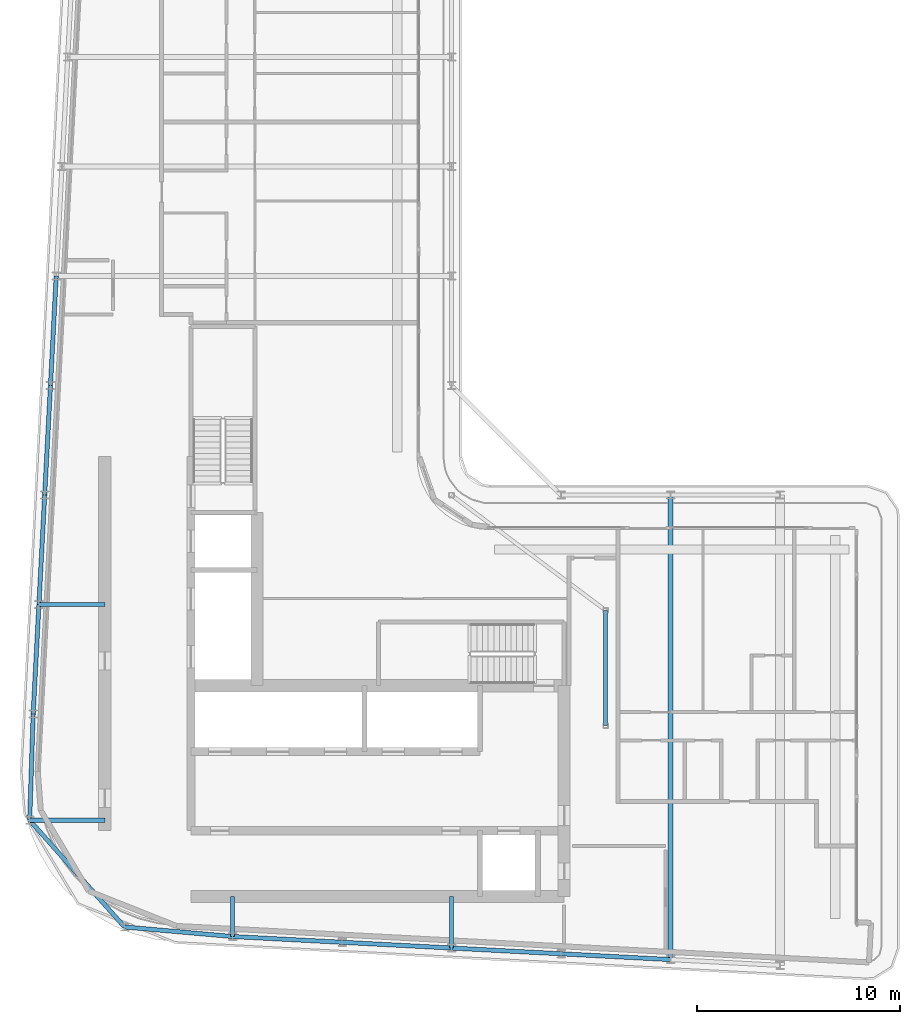
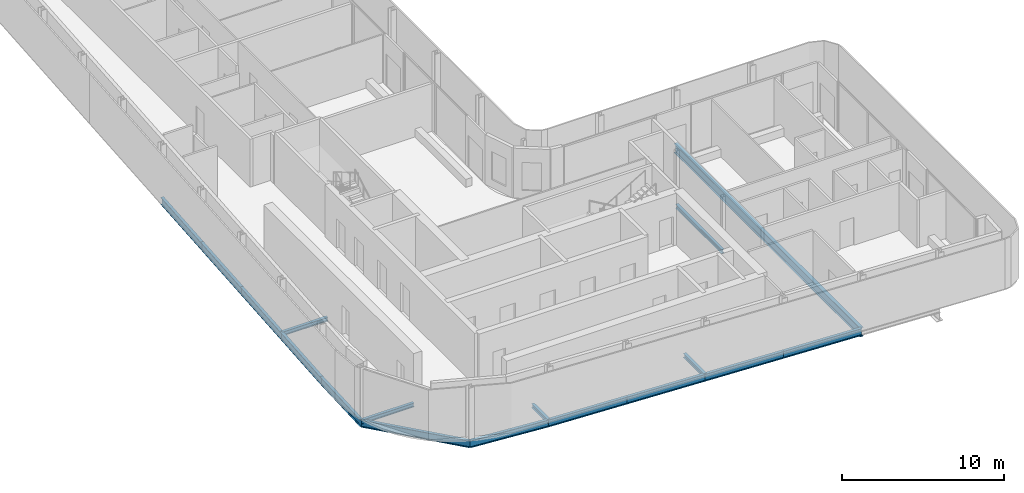
# One storey, part 5 of 21: 17 beams.
"""IFC4 building model written with IfcOpenShell, lengths in metres."""

from ifc_helpers import new_model, si_unit, direction, frame, origin, origin_2d, place, context, subcontext, project, spatial, i_section, extrude, material, material_profile, profile_set, type_object, element, save


model = new_model("IFC4")

# Units and contexts
model_context = context("Model", 3, precision=1e-05, world=origin(), true_north=direction((0.0, 1.0)))
body_context = subcontext(model_context, "Body", "Model", "MODEL_VIEW")
ifc_project = project(units=[si_unit("LENGTHUNIT", "METRE"), si_unit("AREAUNIT", "SQUARE_METRE"), si_unit("VOLUMEUNIT", "CUBIC_METRE"), si_unit("PLANEANGLEUNIT", "RADIAN"), si_unit("MASSUNIT", "GRAM", prefix="KILO")], contexts=[model_context])

# Site, building, storey
site_placement = place(None, origin())
site = spatial("IfcSite", under=ifc_project, at=site_placement, CompositionType="ELEMENT")
building_placement = place(site_placement, origin())
building = spatial("IfcBuilding", under=site, at=building_placement, Name="Kheshtan School and Residences Tower", CompositionType="ELEMENT")
storey_placement = place(building_placement, frame((0.0, 0.0, 290.300048828125)))
storey = spatial("IfcBuildingStorey", under=building, at=storey_placement, Name="L68", CompositionType="ELEMENT", Elevation=290.300048828125)

# Beams
ifc_material = material(Name="Steel ASTM A992 Grade 50", Category="steel")
ifc_material_profile_1 = material_profile(ifc_material, i_section(OverallWidth=0.202880859375, OverallDepth=0.302978515625, WebThickness=0.007568359375, FlangeThickness=0.01318359375, FilletRadius=0.009033203125, at=origin_2d()), Name="W310x60")
ifc_profile_set_1 = profile_set([ifc_material_profile_1], Name="Steel ASTM A992 Grade 50")
beam_type_1 = type_object("IfcBeamType", Name="Beam FB1 W310x60 ASTM A992 Grade 50", PredefinedType="BEAM", material=ifc_profile_set_1)
beam_1_placement = place(storey_placement, frame((47.60009765625, 23.263916015625, -0.301513671875), z_axis=(0.0, 1.0, 0.0), x_axis=(-1.0, 0.0, 0.0)))
element("IfcBeam", 1, at=beam_1_placement, inside=storey, type_object=beam_type_1, Name="Floor beam C020", PredefinedType="BEAM", context=body_context, shape_type="SweptSolid", body=[
    extrude(i_section(OverallWidth=0.202880859375, OverallDepth=0.302978515625, WebThickness=0.007568359375, FlangeThickness=0.01318359375, FilletRadius=0.009033203125, at=origin_2d()), origin(), (0.0, 0.0, 1.0), 2.5361328125),
])
beam_2_placement = place(storey_placement, frame((36.800048828125, 23.83203125, -0.301513671875), z_axis=(0.0, 1.0, 0.0), x_axis=(-1.0, 0.0, 0.0)))
element("IfcBeam", 2, at=beam_2_placement, inside=storey, type_object=beam_type_1, Name="Floor beam C022", PredefinedType="BEAM", context=body_context, shape_type="SweptSolid", body=[
    extrude(i_section(OverallWidth=0.202880859375, OverallDepth=0.302978515625, WebThickness=0.007568359375, FlangeThickness=0.01318359375, FilletRadius=0.009033203125, at=origin_2d()), origin(), (0.0, 0.0, 1.0), 1.968017578125),
])
beam_3_placement = place(storey_placement, frame((26.797119140625, 29.56591796875, -0.301513671875), z_axis=(1.0, 0.0, 0.0), x_axis=(0.0, 1.0, 0.0)))
element("IfcBeam", 3, at=beam_3_placement, inside=storey, type_object=beam_type_1, Name="Floor beam C044", PredefinedType="BEAM", context=body_context, shape_type="SweptSolid", body=[
    extrude(i_section(OverallWidth=0.202880859375, OverallDepth=0.302978515625, WebThickness=0.007568359375, FlangeThickness=0.01318359375, FilletRadius=0.009033203125, at=origin_2d()), origin(), (0.0, 0.0, 1.0), 3.702880859375),
])
beam_4_placement = place(storey_placement, frame((27.2529296875, 40.199951171875, -0.301513671875), z_axis=(1.0, 0.0, 0.0), x_axis=(0.0, 1.0, 0.0)))
element("IfcBeam", 4, at=beam_4_placement, inside=storey, type_object=beam_type_1, Name="Floor beam C056", PredefinedType="BEAM", context=body_context, shape_type="SweptSolid", body=[
    extrude(i_section(OverallWidth=0.202880859375, OverallDepth=0.302978515625, WebThickness=0.007568359375, FlangeThickness=0.01318359375, FilletRadius=0.009033203125, at=origin_2d()), origin(), (0.0, 0.0, 1.0), 3.2470703125),
])
beam_5_placement = place(storey_placement, frame((55.199951171875, 34.23193359375, -0.301513671875), z_axis=(0.0, 1.0, 0.0), x_axis=(-1.0, 0.0, 0.0)))
element("IfcBeam", 5, at=beam_5_placement, inside=storey, type_object=beam_type_1, Name="Floor beam IC", PredefinedType="BEAM", context=body_context, shape_type="SweptSolid", body=[
    extrude(i_section(OverallWidth=0.202880859375, OverallDepth=0.302978515625, WebThickness=0.007568359375, FlangeThickness=0.01318359375, FilletRadius=0.009033203125, at=origin_2d()), origin(), (0.0, 0.0, 1.0), 5.68408203125),
])
ifc_material_profile_2 = material_profile(ifc_material, i_section(OverallWidth=0.2529296875, OverallDepth=0.677978515625, WebThickness=0.01171875, FlangeThickness=0.016357421875, FilletRadius=0.0146484375, at=origin_2d()), Name="W690x125")
ifc_profile_set_2 = profile_set([ifc_material_profile_2], Name="Steel ASTM A992 Grade 50")
beam_type_2 = type_object("IfcBeamType", Name="Beam FB6 W690x125 ASTM A992 Grade 50", PredefinedType="BEAM", material=ifc_profile_set_2)
beam_6_placement = place(storey_placement, frame((58.39990234375, 22.695068359375, -0.489013671875), z_axis=(0.0, 1.0, 0.0), x_axis=(-1.0, 0.0, 0.0)))
element("IfcBeam", 6, at=beam_6_placement, inside=storey, type_object=beam_type_2, Name="Floor beam C018", PredefinedType="BEAM", context=body_context, shape_type="SweptSolid", body=[
    extrude(i_section(OverallWidth=0.2529296875, OverallDepth=0.677978515625, WebThickness=0.01171875, FlangeThickness=0.016357421875, FilletRadius=0.0146484375, at=origin_2d()), origin(), (0.0, 0.0, 1.0), 22.905029296875),
])
ifc_material_profile_3 = material_profile(ifc_material, i_section(OverallWidth=0.208984375, OverallDepth=0.532958984375, WebThickness=0.01025390625, FlangeThickness=0.015625, FilletRadius=0.013916015625, at=origin_2d()), Name="W530x92")
ifc_profile_set_3 = profile_set([ifc_material_profile_3], Name="Steel ASTM A992 Grade 50")
beam_type_3 = type_object("IfcBeamType", Name="Beam SP3 W530x92 ASTM A992 Grade 50", PredefinedType="BEAM", material=ifc_profile_set_3)
for number, where, z_axis, x_axis, name in (
    (7, (58.39990234375, 22.695068359375, -0.41650390625), (-0.998610961136, 0.052689166816, 0.0), (-0.052689166816, -0.998610961136, 0.0), "Spandrel beam C018-C019"),
    (8, (53.0, 22.97998046875, -0.41650390625), (-0.998620447272, 0.05250906864, 0.0), (-0.05250906864, -0.998620447272, 0.0), "Spandrel beam C019-C020"),
):
    element("IfcBeam", number, at=place(storey_placement, frame(where, z_axis=z_axis, x_axis=x_axis)), inside=storey, type_object=beam_type_3, Name=name, PredefinedType="BEAM", context=body_context, shape_type="SweptSolid", body=[
        extrude(i_section(OverallWidth=0.208984375, OverallDepth=0.532958984375, WebThickness=0.01025390625, FlangeThickness=0.015625, FilletRadius=0.013916015625, at=origin_2d()), origin(), (0.0, 0.0, 1.0), 5.407470703125),
    ])
beam_7_placement = place(storey_placement, frame((47.60009765625, 23.263916015625, -0.41650390625), z_axis=(-0.998618203458, 0.052551724256, 0.0), x_axis=(-0.052551724256, -0.998618203458, 0.0)))
element("IfcBeam", 9, at=beam_7_placement, inside=storey, type_object=beam_type_3, Name="Spandrel beam C020-C021", PredefinedType="BEAM", context=body_context, shape_type="SweptSolid", body=[
    extrude(i_section(OverallWidth=0.208984375, OverallDepth=0.532958984375, WebThickness=0.01025390625, FlangeThickness=0.015625, FilletRadius=0.013916015625, at=origin_2d()), origin(), (0.0, 0.0, 1.0), 5.40771484375),
])
beam_8_placement = place(storey_placement, frame((42.199951171875, 23.548095703125, -0.41650390625), z_axis=(-0.998620447272, 0.05250906864, 0.0), x_axis=(-0.05250906864, -0.998620447272, 0.0)))
element("IfcBeam", 10, at=beam_8_placement, inside=storey, type_object=beam_type_3, Name="Spandrel beam C021-C022", PredefinedType="BEAM", context=body_context, shape_type="SweptSolid", body=[
    extrude(i_section(OverallWidth=0.208984375, OverallDepth=0.532958984375, WebThickness=0.01025390625, FlangeThickness=0.015625, FilletRadius=0.013916015625, at=origin_2d()), origin(), (0.0, 0.0, 1.0), 5.407470703125),
])
beam_9_placement = place(storey_placement, frame((36.800048828125, 23.83203125, -0.41650390625), z_axis=(-0.996129262073, 0.087900473504, 0.0), x_axis=(-0.087900473504, -0.996129262073, 0.0)))
element("IfcBeam", 11, at=beam_9_placement, inside=storey, type_object=beam_type_3, Name="Spandrel beam C022-C031", PredefinedType="BEAM", context=body_context, shape_type="SweptSolid", body=[
    extrude(i_section(OverallWidth=0.208984375, OverallDepth=0.532958984375, WebThickness=0.01025390625, FlangeThickness=0.015625, FilletRadius=0.013916015625, at=origin_2d()), origin(), (0.0, 0.0, 1.0), 5.3466796875),
])
beam_10_placement = place(storey_placement, frame((31.47412109375, 24.302001953125, -0.41650390625), z_axis=(-0.664202421408, 0.747552769639, 0.0), x_axis=(-0.747552769639, -0.664202421408, 0.0)))
element("IfcBeam", 12, at=beam_10_placement, inside=storey, type_object=beam_type_3, Name="Spandrel beam C031-C044", PredefinedType="BEAM", context=body_context, shape_type="SweptSolid", body=[
    extrude(i_section(OverallWidth=0.208984375, OverallDepth=0.532958984375, WebThickness=0.01025390625, FlangeThickness=0.015625, FilletRadius=0.013916015625, at=origin_2d()), origin(), (0.0, 0.0, 1.0), 7.04150390625),
])
beam_11_placement = place(storey_placement, frame((26.797119140625, 29.56591796875, -0.41650390625), z_axis=(0.032819662671, 0.999461289767, 0.0), x_axis=(-0.999461289767, 0.032819662671, 0.0)))
element("IfcBeam", 13, at=beam_11_placement, inside=storey, type_object=beam_type_3, Name="Spandrel beam C044-C052", PredefinedType="BEAM", context=body_context, shape_type="SweptSolid", body=[
    extrude(i_section(OverallWidth=0.208984375, OverallDepth=0.532958984375, WebThickness=0.01025390625, FlangeThickness=0.015625, FilletRadius=0.013916015625, at=origin_2d()), origin(), (0.0, 0.0, 1.0), 5.237060546875),
])
beam_12_placement = place(storey_placement, frame((26.968994140625, 34.800048828125, -0.41650390625), z_axis=(0.05250906864, 0.998620447272, 0.0), x_axis=(-0.998620447272, 0.05250906864, 0.0)))
element("IfcBeam", 14, at=beam_12_placement, inside=storey, type_object=beam_type_3, Name="Spandrel beam C052-C056", PredefinedType="BEAM", context=body_context, shape_type="SweptSolid", body=[
    extrude(i_section(OverallWidth=0.208984375, OverallDepth=0.532958984375, WebThickness=0.01025390625, FlangeThickness=0.015625, FilletRadius=0.013916015625, at=origin_2d()), origin(), (0.0, 0.0, 1.0), 5.407470703125),
])
beam_13_placement = place(storey_placement, frame((27.2529296875, 40.199951171875, -0.41650390625), z_axis=(0.052551724256, 0.998618203458, 0.0), x_axis=(-0.998618203458, 0.052551724256, 0.0)))
element("IfcBeam", 15, at=beam_13_placement, inside=storey, type_object=beam_type_3, Name="Spandrel beam C056-C059", PredefinedType="BEAM", context=body_context, shape_type="SweptSolid", body=[
    extrude(i_section(OverallWidth=0.208984375, OverallDepth=0.532958984375, WebThickness=0.01025390625, FlangeThickness=0.015625, FilletRadius=0.013916015625, at=origin_2d()), origin(), (0.0, 0.0, 1.0), 5.40771484375),
])
for number, where, z_axis, x_axis, name in (
    (16, (27.537109375, 45.60009765625, -0.41650390625), (0.052689166816, 0.998610961136, 0.0), (-0.998610961136, 0.052689166816, 0.0), "Spandrel beam C059-C078"),
    (17, (27.822021484375, 51.0, -0.41650390625), (0.05250906864, 0.998620447272, 0.0), (-0.998620447272, 0.05250906864, 0.0), "Spandrel beam C078-C080"),
):
    element("IfcBeam", number, at=place(storey_placement, frame(where, z_axis=z_axis, x_axis=x_axis)), inside=storey, type_object=beam_type_3, Name=name, PredefinedType="BEAM", context=body_context, shape_type="SweptSolid", body=[
        extrude(i_section(OverallWidth=0.208984375, OverallDepth=0.532958984375, WebThickness=0.01025390625, FlangeThickness=0.015625, FilletRadius=0.013916015625, at=origin_2d()), origin(), (0.0, 0.0, 1.0), 5.407470703125),
    ])

save(model, "model.ifc")
